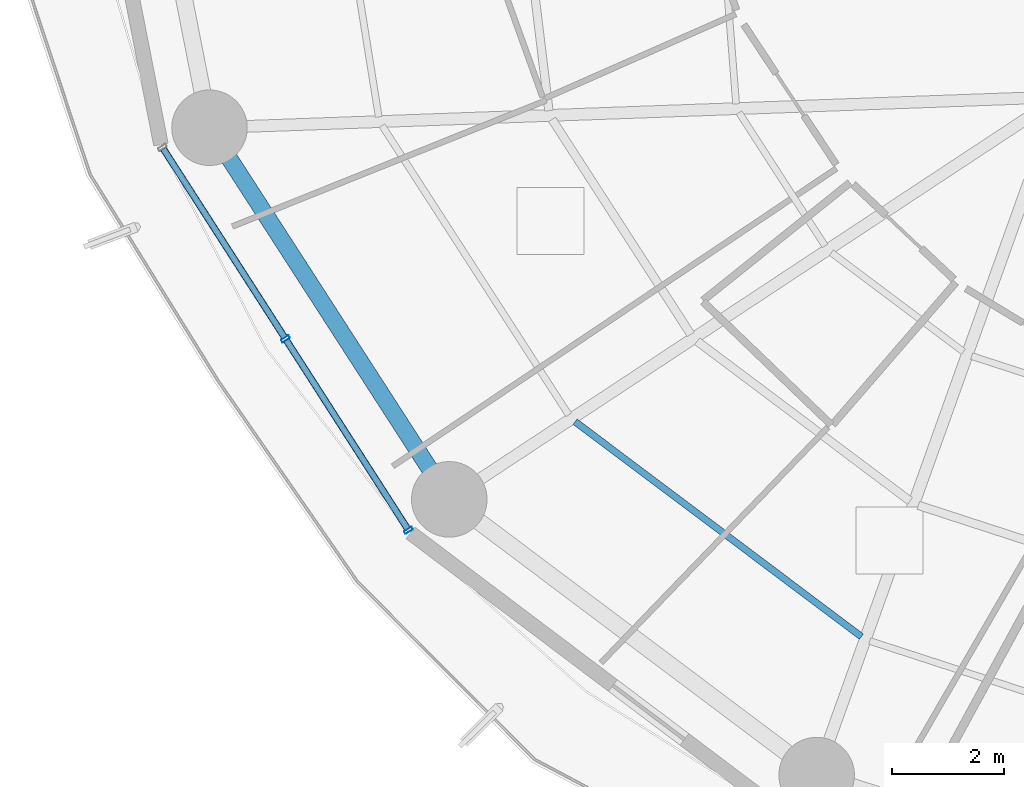
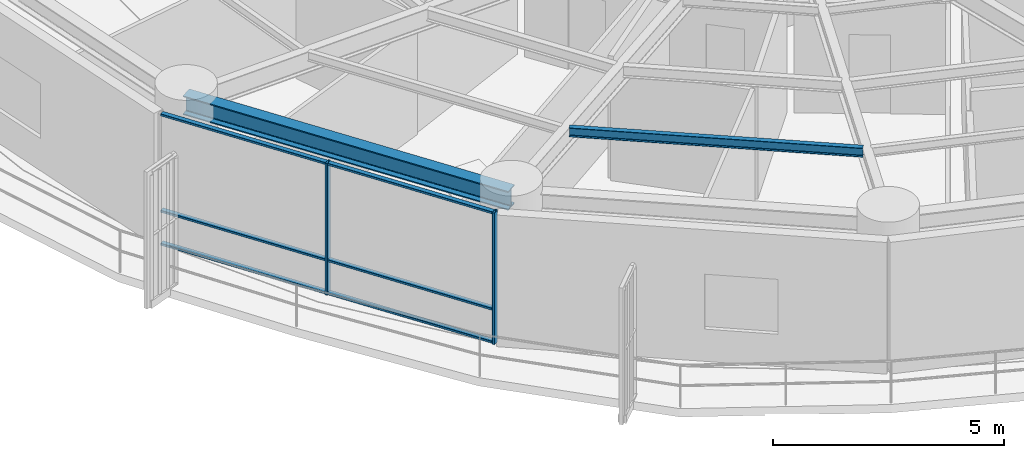
# One storey, part 2 of 35: 8 members, 2 beams, 1 element without a shape of its own.
"""IFC4 building model written with IfcOpenShell, lengths in metres."""

import ifcopenshell
import ifcopenshell.guid

model = None  # the IFC model being written
_history = None  # IfcOwnerHistory: only IFC2X3 demands one
_inside = {}  # id of a spatial element -> (the spatial element, [elements in it])
_under = {}  # id of a project, library or spatial element -> (it, [spatial elements below it])
_declared = {}  # id of a project -> (the project, [libraries it declares])
_typed = {}  # id of a type object -> (the type object, [elements of that type])
_made_of = {}  # id of a material, layer set ... -> (it, [elements and type objects made of it])


def new_model(schema):
    """Start an empty IFC model of exactly this schema.

    Asked for "IFC4X3", IfcOpenShell would pick the latest addendum, in which some entities
    have other attributes; the version numbers below select the first issue.
    IFC2X3 requires an IfcOwnerHistory on every rooted entity: one is made here for all.
    """
    global model, _history
    if schema == "IFC4X3":
        model = ifcopenshell.file(schema_version=(4, 3, 0, 0))
    else:
        model = ifcopenshell.file(schema=schema)
    _inside.clear()
    _under.clear()
    _declared.clear()
    _typed.clear()
    _made_of.clear()
    _history = None
    if model.schema == "IFC2X3":
        org = make("IfcOrganization", Name="unknown")
        user = make(
            "IfcPersonAndOrganization",
            ThePerson=make("IfcPerson", FamilyName="unknown"),
            TheOrganization=org,
        )
        app = make(
            "IfcApplication",
            ApplicationDeveloper=org,
            Version="unknown",
            ApplicationFullName="unknown",
            ApplicationIdentifier="unknown",
        )
        _history = make(
            "IfcOwnerHistory",
            OwningUser=user,
            OwningApplication=app,
            ChangeAction="ADDED",
            CreationDate=0,
        )
    return model


def make(cls, **values):
    """One entity of the class cls with the attributes given. An attribute that is None is left unset."""
    return model.create_entity(
        cls, **{name: value for name, value in values.items() if value is not None}
    )


def rooted(cls, **values):
    """An entity with a GlobalId (a new one), such as an element, a storey or a relation."""
    return make(cls, GlobalId=ifcopenshell.guid.new(), OwnerHistory=_history, **values)


def si_unit(unit_type, name, prefix=None):
    """IfcSIUnit, for example si_unit("LENGTHUNIT", "METRE", prefix="MILLI")."""
    return make("IfcSIUnit", UnitType=unit_type, Prefix=prefix, Name=name)


def assignment(units):
    """IfcUnitAssignment: the units of a project."""
    return None if units is None else make("IfcUnitAssignment", Units=units)


def point(xyz):
    """IfcCartesianPoint."""
    return None if xyz is None else make("IfcCartesianPoint", Coordinates=xyz)


def direction(xyz):
    """IfcDirection."""
    return None if xyz is None else make("IfcDirection", DirectionRatios=xyz)


def frame(location, z_axis=None, x_axis=None):
    """IfcAxis2Placement3D, a coordinate frame: its origin and axes. An axis left out is left unset."""
    return make(
        "IfcAxis2Placement3D",
        Location=point(location),
        Axis=direction(z_axis),
        RefDirection=direction(x_axis),
    )


def frame_2d(location, x_axis=None):
    """IfcAxis2Placement2D, a coordinate frame in the plane: its origin and x axis."""
    return make(
        "IfcAxis2Placement2D", Location=point(location), RefDirection=direction(x_axis)
    )


def origin():
    """The frame at (0, 0, 0) with its axes left unset."""
    return frame((0.0, 0.0, 0.0))


def origin_2d():
    """The frame at (0, 0) in the plane with its x axis left unset."""
    return frame_2d((0.0, 0.0))


def place(relative_to, where):
    """IfcLocalPlacement: puts the frame where relative to a parent placement (None: the world)."""
    return make(
        "IfcLocalPlacement", PlacementRelTo=relative_to, RelativePlacement=where
    )


def context(
    kind, dimensions, precision=None, world=None, true_north=None, identifier=None
):
    """IfcGeometricRepresentationContext, for example the 3D "Model" context."""
    return make(
        "IfcGeometricRepresentationContext",
        ContextIdentifier=identifier,
        ContextType=kind,
        CoordinateSpaceDimension=dimensions,
        Precision=precision,
        WorldCoordinateSystem=world,
        TrueNorth=true_north,
    )


def subcontext(parent, identifier, kind, view, scale=None):
    """IfcGeometricRepresentationSubContext, for example "Body" below "Model"."""
    return make(
        "IfcGeometricRepresentationSubContext",
        ContextIdentifier=identifier,
        ContextType=kind,
        ParentContext=parent,
        TargetScale=scale,
        TargetView=view,
    )


def project(units=None, contexts=None):
    """IfcProject with its units and contexts."""
    return rooted(
        "IfcProject",
        Name="project",
        RepresentationContexts=contexts,
        UnitsInContext=assignment(units),
    )


def spatial(cls, under=None, at=None, **own):
    """A site, building, storey or space (cls), placed at a placement, below another one or the project."""
    s = rooted(cls, ObjectPlacement=at, **own)
    if under is not None:
        _under.setdefault(under.id(), (under, []))[1].append(s)
    return s


def profile(cls, at=None, kind="AREA", **sizes):
    """A parametric profile (cls). Its sizes go by their IFC names, for example OverallWidth=200.0."""
    return make(cls, ProfileType=kind, Position=at, **sizes)


def hollow_rectangle(**sizes):
    """IfcRectangleHollowProfileDef."""
    return profile("IfcRectangleHollowProfileDef", **sizes)


def i_section(**sizes):
    """IfcIShapeProfileDef."""
    return profile("IfcIShapeProfileDef", **sizes)


def extrude(swept, where, along, depth):
    """IfcExtrudedAreaSolid: the profile swept, set in the frame where, extruded along a direction by depth."""
    return make(
        "IfcExtrudedAreaSolid",
        SweptArea=swept,
        Position=where,
        ExtrudedDirection=direction(along),
        Depth=depth,
    )


def shape(context_of_items, identifier, shape_type, items):
    """IfcShapeRepresentation: the items that make up one representation, for example the "Body"."""
    return make(
        "IfcShapeRepresentation",
        ContextOfItems=context_of_items,
        RepresentationIdentifier=identifier,
        RepresentationType=shape_type,
        Items=items,
    )


def material(Name=None, Category=None):
    """IfcMaterial."""
    return make("IfcMaterial", Name=Name, Category=Category)


def layer(
    of_material, thickness, ventilated=None, Name=None, Category=None, Priority=None
):
    """IfcMaterialLayer: one layer of a wall or slab, of a material (None: an air gap)."""
    return make(
        "IfcMaterialLayer",
        Material=of_material,
        LayerThickness=thickness,
        IsVentilated=ventilated,
        Name=Name,
        Category=Category,
        Priority=Priority,
    )


def layer_set(layers, Name=None):
    """IfcMaterialLayerSet."""
    return make("IfcMaterialLayerSet", MaterialLayers=layers, LayerSetName=Name)


def material_profile(
    of_material, cross_section, Name=None, Category=None, Priority=None
):
    """IfcMaterialProfile: a cross section and its material."""
    return make(
        "IfcMaterialProfile",
        Name=Name,
        Material=of_material,
        Profile=cross_section,
        Priority=Priority,
        Category=Category,
    )


def profile_set(profiles, Name=None, composite=None):
    """IfcMaterialProfileSet."""
    return make(
        "IfcMaterialProfileSet",
        Name=Name,
        MaterialProfiles=profiles,
        CompositeProfile=composite,
    )


def made_of(thing, what):
    """Note that an element or type object is made of a material, layer set ...; save() writes the relation."""
    if what is not None:
        _made_of.setdefault(what.id(), (what, []))[1].append(thing)
    return thing


def type_object(cls, material=None, **own):
    """A type object (cls), such as IfcWallType, which elements share."""
    return made_of(rooted(cls, **own), material)


def element(
    cls,
    number,
    at=None,
    inside=None,
    cuts=None,
    type_object=None,
    material=None,
    context=None,
    identifier="Body",
    shape_type=None,
    held_by="IfcProductDefinitionShape",
    body=None,
    shapes=None,
    **own,
):
    """One element of the class cls, such as IfcWall. Its Tag is "e" and its number.

    at: its placement. inside: the storey or other place that contains it. cuts: it is an
    opening in that element (IfcRelVoidsElement). A single representation is given by context,
    identifier, shape_type and body (its items); several are given by shapes. held_by: the class
    of the entity that holds the representations. save() writes the other relations.
    """
    e = rooted(cls, Tag="e%d" % number, ObjectPlacement=at, **own)
    if body is not None:
        shapes = [shape(context, identifier, shape_type, body)]
    if shapes is not None:
        e.Representation = make(held_by, Representations=shapes)
    if inside is not None:
        _inside.setdefault(inside.id(), (inside, []))[1].append(e)
    if cuts is not None:
        rooted(
            "IfcRelVoidsElement", RelatingBuildingElement=cuts, RelatedOpeningElement=e
        )
    if type_object is not None:
        _typed.setdefault(type_object.id(), (type_object, []))[1].append(e)
    return made_of(e, material)


def aggregate(whole, parts):
    """IfcRelAggregates: a whole, such as a stair, and the parts it consists of."""
    return rooted("IfcRelAggregates", RelatingObject=whole, RelatedObjects=parts)


def save(model, path):
    """Write the relations noted so far, then the file.

    IfcRelAggregates (storeys below a building ...), IfcRelContainedInSpatialStructure (elements
    in a storey), IfcRelDefinesByType, IfcRelAssociatesMaterial and IfcRelDeclares: one each for
    every whole, place, type object, material and project.
    """
    for whole, parts in _under.values():
        aggregate(whole, parts)
    for where, things in _inside.values():
        rooted(
            "IfcRelContainedInSpatialStructure",
            RelatedElements=things,
            RelatingStructure=where,
        )
    for kind, things in _typed.values():
        rooted("IfcRelDefinesByType", RelatedObjects=things, RelatingType=kind)
    for what, things in _made_of.values():
        rooted("IfcRelAssociatesMaterial", RelatedObjects=things, RelatingMaterial=what)
    for by, libraries in _declared.values():
        rooted("IfcRelDeclares", RelatingContext=by, RelatedDefinitions=libraries)
    model.write(path)


model = new_model("IFC4")

# Units and contexts
model_context = context("Model", 3, precision=1e-05, world=origin(), true_north=direction((0.0, 1.0)))
body_context = subcontext(model_context, "Body", "Model", "MODEL_VIEW")
ifc_project = project(units=[si_unit("LENGTHUNIT", "METRE"), si_unit("AREAUNIT", "SQUARE_METRE"), si_unit("VOLUMEUNIT", "CUBIC_METRE"), si_unit("PLANEANGLEUNIT", "RADIAN"), si_unit("MASSUNIT", "GRAM", prefix="KILO")], contexts=[model_context])

# Site, building, storey
site_placement = place(None, origin())
site = spatial("IfcSite", under=ifc_project, at=site_placement, CompositionType="ELEMENT")
building_placement = place(site_placement, origin())
building = spatial("IfcBuilding", under=site, at=building_placement, Name="Kelanora Arch Commons", CompositionType="ELEMENT")
storey_placement = place(building_placement, frame((0.0, 0.0, 117.60009765625)))
storey = spatial("IfcBuildingStorey", under=building, at=storey_placement, Name="L30", CompositionType="ELEMENT", Elevation=117.60009765625)

# Beams
ifc_material_1 = material(Name="Steel S355", Category="steel")
ifc_material_profile_1 = material_profile(ifc_material_1, i_section(OverallWidth=0.1201171875, OverallDepth=0.239990234375, WebThickness=0.006103515625, FlangeThickness=0.009765625, FilletRadius=0.014892578125, at=origin_2d()), Name="IPE240")
ifc_profile_set_1 = profile_set([ifc_material_profile_1], Name="Steel S355")
beam_type_1 = type_object("IfcBeamType", Name="BM-JST-02", PredefinedType="JOIST", material=ifc_profile_set_1)
beam_1_placement = place(storey_placement, frame((57.34326171875, 45.194580078125, 3.369873046875), z_axis=(0.799734335646, -0.600354055861, 0.0), x_axis=(0.600354055861, 0.799734335646, 0.0)))
element("IfcBeam", 1, at=beam_1_placement, inside=storey, type_object=beam_type_1, Name="Secondary Chord Joist BJC-22 L30", PredefinedType="JOIST", context=body_context, shape_type="SweptSolid", body=[
    extrude(i_section(OverallWidth=0.1201171875, OverallDepth=0.239990234375, WebThickness=0.006103515625, FlangeThickness=0.009765625, FilletRadius=0.014892578125, at=origin_2d()), origin(), (0.0, 0.0, 1.0), 6.39794921875),
])
ifc_material_profile_2 = material_profile(ifc_material_1, i_section(OverallWidth=0.300048828125, OverallDepth=0.5, WebThickness=0.014404296875, FlangeThickness=0.028076171875, FilletRadius=0.027099609375, at=origin_2d()), Name="HEB500")
ifc_profile_set_2 = profile_set([ifc_material_profile_2], Name="Steel S355")
beam_type_2 = type_object("IfcBeamType", Name="BM-SPN-Z2", PredefinedType="SPANDREL", material=ifc_profile_set_2)
beam_2_placement = place(storey_placement, frame((50.808349609375, 50.4482421875, 3.239990234375), z_axis=(0.542221144054, -0.840235818649, 0.0), x_axis=(0.840235818649, 0.542221144054, 0.0)))
element("IfcBeam", 2, at=beam_2_placement, inside=storey, type_object=beam_type_2, Name="Perimeter Spandrel Beam BS-20 L30", PredefinedType="SPANDREL", context=body_context, shape_type="SweptSolid", body=[
    extrude(i_section(OverallWidth=0.300048828125, OverallDepth=0.5, WebThickness=0.014404296875, FlangeThickness=0.028076171875, FilletRadius=0.027099609375, at=origin_2d()), origin(), (0.0, 0.0, 1.0), 7.90380859375),
])

# Curtain wall, members
ifc_material_2 = material(Name="Terracotta ceramic-fritted low-E glass and aluminium", Category="masonry")
ifc_layer = layer(ifc_material_2, 0.159912109375)
ifc_layer_set = layer_set([ifc_layer], Name="Terracotta ceramic-fritted low-E glass and aluminium")
curtain_wall_type = type_object("IfcCurtainWallType", Name="CW-SYS-01", PredefinedType="NOTDEFINED", material=ifc_layer_set)
curtain_wall_placement = place(storey_placement, origin())
curtain_wall = element("IfcCurtainWall", 3, at=curtain_wall_placement, inside=storey, type_object=curtain_wall_type, Name="Unitised Curtain Wall L30-B10", PredefinedType="NOTDEFINED")
ifc_material_3 = material(Name="Powder-coated aluminium terracotta", Category="masonry")
ifc_material_profile_3 = material_profile(ifc_material_3, hollow_rectangle(XDim=0.159912109375, YDim=0.06005859375, WallThickness=0.0048828125, InnerFilletRadius=0.0048828125, OuterFilletRadius=0.010009765625, at=origin_2d()), Name="CWM160x60")
ifc_profile_set_3 = profile_set([ifc_material_profile_3], Name="Powder-coated aluminium terracotta")
member_type_1 = type_object("IfcMemberType", Name="CWM-STD", PredefinedType="MULLION", material=ifc_profile_set_3)
member_1_placement = place(storey_placement, frame((52.16650390625, 46.6748046875, 0.0), z_axis=(0.0, 0.0, 1.0), x_axis=(0.841268883088, 0.540616931244, 0.0)))
member_1 = element("IfcMember", 4, at=member_1_placement, type_object=member_type_1, Name="CW-01 mullion 2", PredefinedType="MULLION", context=body_context, shape_type="SweptSolid", body=[
    extrude(hollow_rectangle(XDim=0.159912109375, YDim=0.06005859375, WallThickness=0.0048828125, InnerFilletRadius=0.0048828125, OuterFilletRadius=0.010009765625, at=origin_2d()), origin(), (0.0, 0.0, 1.0), 3.474853515625),
])
member_2_placement = place(storey_placement, frame((54.364990234375, 43.253662109375, 0.0), z_axis=(0.0, 0.0, 1.0), x_axis=(0.841268883088, 0.540616931244, 0.0)))
member_2 = element("IfcMember", 5, at=member_2_placement, type_object=member_type_1, Name="CW-01 mullion 3", PredefinedType="MULLION", context=body_context, shape_type="SweptSolid", body=[
    extrude(hollow_rectangle(XDim=0.159912109375, YDim=0.06005859375, WallThickness=0.0048828125, InnerFilletRadius=0.0048828125, OuterFilletRadius=0.010009765625, at=origin_2d()), origin(), (0.0, 0.0, 1.0), 3.474853515625),
])
ifc_material_profile_4 = material_profile(ifc_material_3, hollow_rectangle(XDim=0.1201171875, YDim=0.06005859375, WallThickness=0.0048828125, InnerFilletRadius=0.0048828125, OuterFilletRadius=0.010009765625, at=origin_2d()), Name="CWT120x60")
ifc_profile_set_4 = profile_set([ifc_material_profile_4], Name="Powder-coated aluminium terracotta")
member_type_2 = type_object("IfcMemberType", Name="CWT-STD", PredefinedType="USERDEFINED", material=ifc_profile_set_4)
member_3_placement = place(storey_placement, frame((49.984375, 50.0703125, 0.02978515625), z_axis=(0.540643629734, -0.841251725483, 0.0), x_axis=(0.841251725483, 0.540643629734, 0.0)))
member_3 = element("IfcMember", 6, at=member_3_placement, type_object=member_type_2, Name="CW-01 transom 1.1", ObjectType="TRANSOM", PredefinedType="USERDEFINED", context=body_context, shape_type="SweptSolid", body=[
    extrude(hollow_rectangle(XDim=0.1201171875, YDim=0.06005859375, WallThickness=0.0048828125, InnerFilletRadius=0.0048828125, OuterFilletRadius=0.010009765625, at=origin_2d()), origin(), (0.0, 0.0, 1.0), 4.00634765625),
])
member_4_placement = place(storey_placement, frame((49.984375, 50.0703125, 0.89990234375), z_axis=(0.540643629734, -0.841251725483, 0.0), x_axis=(0.841251725483, 0.540643629734, 0.0)))
member_4 = element("IfcMember", 7, at=member_4_placement, type_object=member_type_2, Name="CW-01 transom 1.2", ObjectType="TRANSOM", PredefinedType="USERDEFINED", context=body_context, shape_type="SweptSolid", body=[
    extrude(hollow_rectangle(XDim=0.1201171875, YDim=0.06005859375, WallThickness=0.0048828125, InnerFilletRadius=0.0048828125, OuterFilletRadius=0.010009765625, at=origin_2d()), origin(), (0.0, 0.0, 1.0), 4.00634765625),
])
member_5_placement = place(storey_placement, frame((49.984375, 50.0703125, 3.44482421875), z_axis=(0.540643629734, -0.841251725483, 0.0), x_axis=(0.841251725483, 0.540643629734, 0.0)))
member_5 = element("IfcMember", 8, at=member_5_placement, type_object=member_type_2, Name="CW-01 transom 1.3", ObjectType="TRANSOM", PredefinedType="USERDEFINED", context=body_context, shape_type="SweptSolid", body=[
    extrude(hollow_rectangle(XDim=0.1201171875, YDim=0.06005859375, WallThickness=0.0048828125, InnerFilletRadius=0.0048828125, OuterFilletRadius=0.010009765625, at=origin_2d()), origin(), (0.0, 0.0, 1.0), 4.00634765625),
])
member_6_placement = place(storey_placement, frame((52.182861328125, 46.6494140625, 0.02978515625), z_axis=(0.540643629734, -0.841251725483, 0.0), x_axis=(0.841251725483, 0.540643629734, 0.0)))
member_6 = element("IfcMember", 9, at=member_6_placement, type_object=member_type_2, Name="CW-01 transom 2.1", ObjectType="TRANSOM", PredefinedType="USERDEFINED", context=body_context, shape_type="SweptSolid", body=[
    extrude(hollow_rectangle(XDim=0.1201171875, YDim=0.06005859375, WallThickness=0.0048828125, InnerFilletRadius=0.0048828125, OuterFilletRadius=0.010009765625, at=origin_2d()), origin(), (0.0, 0.0, 1.0), 4.00634765625),
])
member_7_placement = place(storey_placement, frame((52.182861328125, 46.6494140625, 0.89990234375), z_axis=(0.540643629734, -0.841251725483, 0.0), x_axis=(0.841251725483, 0.540643629734, 0.0)))
member_7 = element("IfcMember", 10, at=member_7_placement, type_object=member_type_2, Name="CW-01 transom 2.2", ObjectType="TRANSOM", PredefinedType="USERDEFINED", context=body_context, shape_type="SweptSolid", body=[
    extrude(hollow_rectangle(XDim=0.1201171875, YDim=0.06005859375, WallThickness=0.0048828125, InnerFilletRadius=0.0048828125, OuterFilletRadius=0.010009765625, at=origin_2d()), origin(), (0.0, 0.0, 1.0), 4.00634765625),
])
member_8_placement = place(storey_placement, frame((52.182861328125, 46.6494140625, 3.44482421875), z_axis=(0.540643629734, -0.841251725483, 0.0), x_axis=(0.841251725483, 0.540643629734, 0.0)))
member_8 = element("IfcMember", 11, at=member_8_placement, type_object=member_type_2, Name="CW-01 transom 2.3", ObjectType="TRANSOM", PredefinedType="USERDEFINED", context=body_context, shape_type="SweptSolid", body=[
    extrude(hollow_rectangle(XDim=0.1201171875, YDim=0.06005859375, WallThickness=0.0048828125, InnerFilletRadius=0.0048828125, OuterFilletRadius=0.010009765625, at=origin_2d()), origin(), (0.0, 0.0, 1.0), 4.00634765625),
])
aggregate(curtain_wall, [member_1, member_2, member_3, member_4, member_5, member_6, member_7, member_8])

save(model, "model.ifc")
